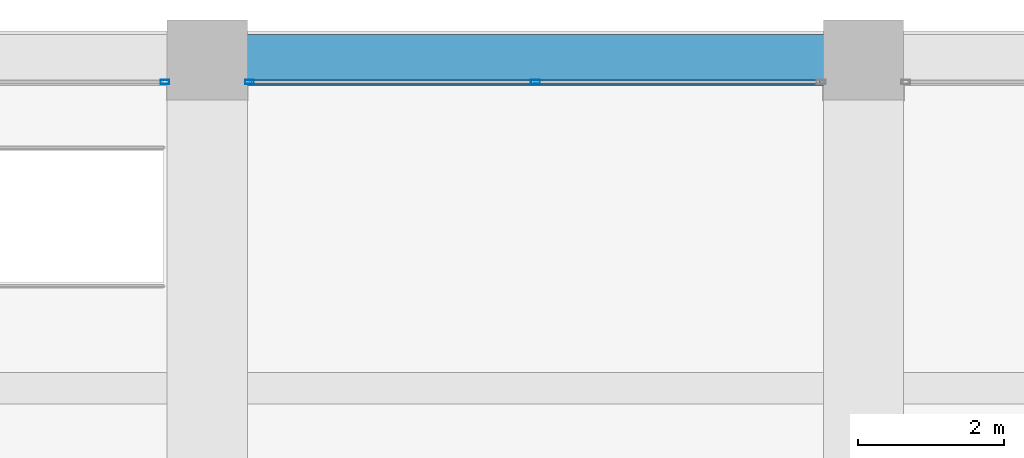
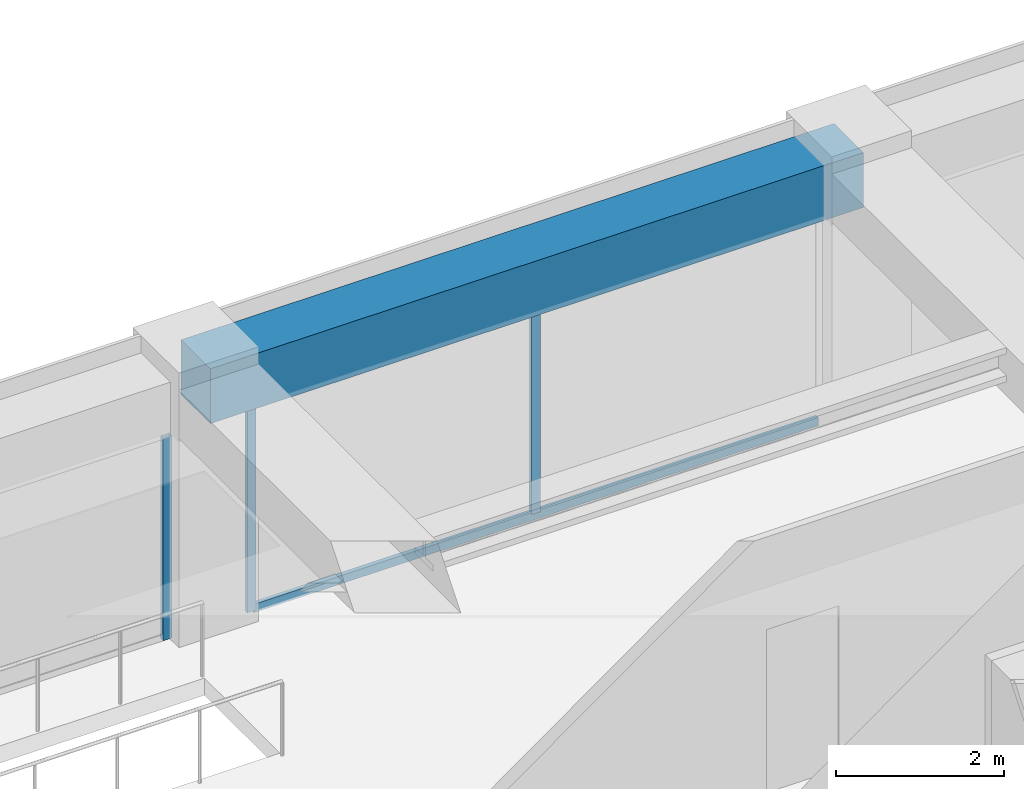
# One storey, part 33 of 44: 4 members, 1 beam, 2 elements without a shape of their own.
"""IFC4 building model written with IfcOpenShell, lengths in metres."""

from ifc_helpers import new_model, si_unit, direction, frame, origin, origin_2d, place, context, subcontext, project, spatial, rectangle, hollow_rectangle, extrude, material, material_profile, profile_set, type_object, element, aggregate, save


model = new_model("IFC4")

# Units and contexts
model_context = context("Model", 3, precision=1e-05, world=origin(), true_north=direction((0.0, 1.0)))
body_context = subcontext(model_context, "Body", "Model", "MODEL_VIEW")
ifc_project = project(units=[si_unit("LENGTHUNIT", "METRE"), si_unit("AREAUNIT", "SQUARE_METRE"), si_unit("VOLUMEUNIT", "CUBIC_METRE"), si_unit("PLANEANGLEUNIT", "RADIAN"), si_unit("MASSUNIT", "GRAM", prefix="KILO")], contexts=[model_context])

# Site, building, storey
site_placement = place(None, origin())
site = spatial("IfcSite", under=ifc_project, at=site_placement, CompositionType="ELEMENT")
building_placement = place(site_placement, origin())
building = spatial("IfcBuilding", under=site, at=building_placement, Name="Zorevar Civic Tower", CompositionType="ELEMENT")
storey_placement = place(building_placement, frame((0.0, 0.0, 275.39990234375)))
storey = spatial("IfcBuildingStorey", under=building, at=storey_placement, Name="L67", CompositionType="ELEMENT", Elevation=275.39990234375)

# Curtain wall, member
ifc_material_1 = material(Name="Dark grey solar-control glass in black aluminium frame", Category="aluminium")
curtain_wall_type = type_object("IfcCurtainWallType", Name="Curtain wall CW5 top zone", PredefinedType="NOTDEFINED", material=ifc_material_1)
curtain_wall_1_placement = place(storey_placement, origin())
curtain_wall_1 = element("IfcCurtainWall", 1, at=curtain_wall_1_placement, inside=storey, type_object=curtain_wall_type, Name="CW5 L67", PredefinedType="NOTDEFINED")
ifc_material_2 = material(Name="Aluminium, black anodised", Category="aluminium")
ifc_material_profile_1 = material_profile(ifc_material_2, hollow_rectangle(XDim=0.06005859375, YDim=0.1201171875, WallThickness=0.0029296875, at=origin_2d()), Name="AL 120x60x3")
ifc_profile_set_1 = profile_set([ifc_material_profile_1], Name="Aluminium, black anodised")
member_type_1 = type_object("IfcMemberType", Name="CW5 mullion AL 120x60x3", PredefinedType="MULLION", material=ifc_profile_set_1)
member_1_placement = place(storey_placement, frame((26.419921875, 44.699951171875, 0.0), z_axis=(0.0, 0.0, 1.0), x_axis=(0.0, 1.0, 0.0)))
member_1 = element("IfcMember", 2, at=member_1_placement, type_object=member_type_1, Name="CW5 mullion 3", PredefinedType="MULLION", context=body_context, shape_type="SweptSolid", body=[
    extrude(hollow_rectangle(XDim=0.06005859375, YDim=0.1201171875, WallThickness=0.0029296875, at=origin_2d()), origin(), (0.0, 0.0, 1.0), 2.9501953125),
])
aggregate(curtain_wall_1, [member_1])

# Curtain wall, members
curtain_wall_2_placement = place(storey_placement, origin())
curtain_wall_2 = element("IfcCurtainWall", 3, at=curtain_wall_2_placement, inside=storey, type_object=curtain_wall_type, Name="CW5 L67", PredefinedType="NOTDEFINED")
member_2_placement = place(storey_placement, frame((27.580078125, 44.699951171875, 0.0), z_axis=(0.0, 0.0, 1.0), x_axis=(0.0, 1.0, 0.0)))
member_2 = element("IfcMember", 4, at=member_2_placement, type_object=member_type_1, Name="CW5 mullion 1", PredefinedType="MULLION", context=body_context, shape_type="SweptSolid", body=[
    extrude(hollow_rectangle(XDim=0.06005859375, YDim=0.1201171875, WallThickness=0.0029296875, at=origin_2d()), origin(), (0.0, 0.0, 1.0), 2.9501953125),
])
member_3_placement = place(storey_placement, frame((31.5, 44.699951171875, 0.06005859375), z_axis=(0.0, 0.0, 1.0), x_axis=(0.0, 1.0, 0.0)))
member_3 = element("IfcMember", 5, at=member_3_placement, type_object=member_type_1, Name="CW5 mullion 2", PredefinedType="MULLION", context=body_context, shape_type="SweptSolid", body=[
    extrude(hollow_rectangle(XDim=0.06005859375, YDim=0.1201171875, WallThickness=0.0029296875, at=origin_2d()), origin(), (0.0, 0.0, 1.0), 2.89013671875),
])
ifc_material_3 = material(Name="Aluminium, black anodised", Category="aluminium")
ifc_material_profile_2 = material_profile(ifc_material_3, hollow_rectangle(XDim=0.06005859375, YDim=0.1201171875, WallThickness=0.0029296875, at=origin_2d()), Name="AL 120x60x3")
ifc_profile_set_2 = profile_set([ifc_material_profile_2], Name="Aluminium, black anodised")
member_type_2 = type_object("IfcMemberType", Name="CW5 transom AL 120x60x3", PredefinedType="USERDEFINED", material=ifc_profile_set_2)
member_4_placement = place(storey_placement, frame((27.610107421875, 44.699951171875, 0.030029296875), z_axis=(1.0, 0.0, 0.0), x_axis=(0.0, 1.0, 0.0)))
member_4 = element("IfcMember", 6, at=member_4_placement, type_object=member_type_2, Name="CW5 sill transom", ObjectType="TRANSOM", PredefinedType="USERDEFINED", context=body_context, shape_type="SweptSolid", body=[
    extrude(hollow_rectangle(XDim=0.06005859375, YDim=0.1201171875, WallThickness=0.0029296875, at=origin_2d()), origin(), (0.0, 0.0, 1.0), 7.77978515625),
])
aggregate(curtain_wall_2, [member_2, member_3, member_4])

# Beam
ifc_material_4 = material(Name="Concrete C50/60", Category="concrete")
ifc_material_profile_3 = material_profile(ifc_material_4, rectangle(XDim=0.699951171875, YDim=0.800048828125, at=origin_2d()), Name="RC 700x800")
ifc_profile_set_3 = profile_set([ifc_material_profile_3], Name="Concrete C50/60")
beam_type = type_object("IfcBeamType", Name="Edge beam RC 700x800", PredefinedType="SPANDREL", material=ifc_profile_set_3)
beam_placement = place(storey_placement, frame((27.0, 45.0, 3.35009765625), z_axis=(1.0, 0.0, 0.0), x_axis=(0.0, 1.0, 0.0)))
element("IfcBeam", 7, at=beam_placement, inside=storey, type_object=beam_type, Name="Edge beam L68", PredefinedType="SPANDREL", context=body_context, shape_type="SweptSolid", body=[
    extrude(rectangle(XDim=0.699951171875, YDim=0.800048828125, at=origin_2d()), origin(), (0.0, 0.0, 1.0), 9.0),
])

save(model, "model.ifc")
